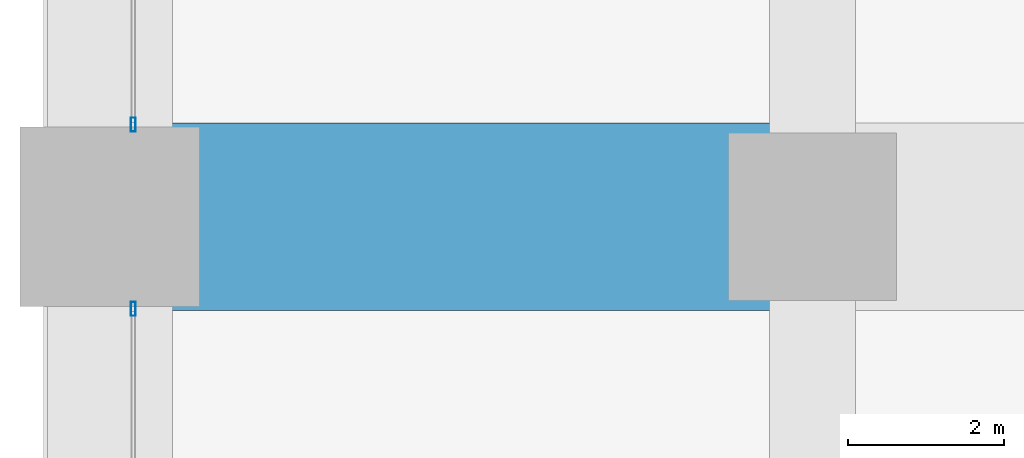
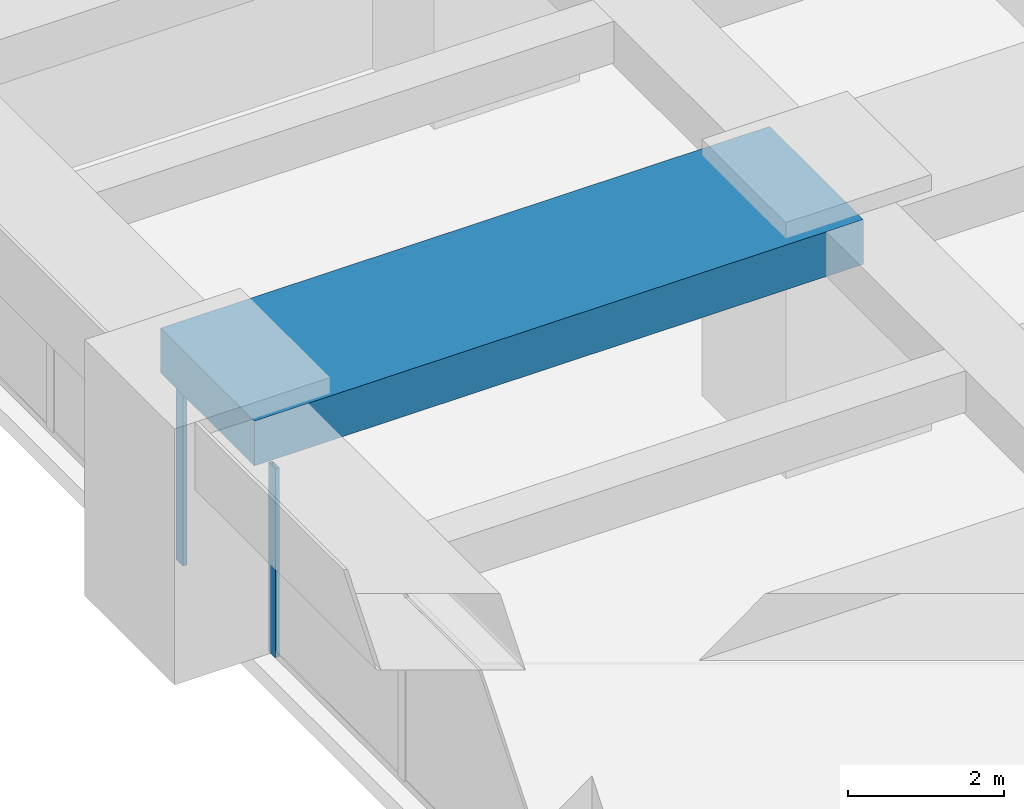
# One storey, part 10 of 43: 2 members, 1 beam, 2 elements without a shape of their own.
"""IFC4 building model written with IfcOpenShell, lengths in metres."""

from ifc_helpers import new_model, si_unit, direction, frame, origin, origin_2d, place, context, subcontext, project, spatial, rectangle, hollow_rectangle, extrude, material, material_profile, profile_set, type_object, element, aggregate, save


model = new_model("IFC4")

# Units and contexts
model_context = context("Model", 3, precision=1e-05, world=origin(), true_north=direction((0.0, 1.0)))
body_context = subcontext(model_context, "Body", "Model", "MODEL_VIEW")
ifc_project = project(units=[si_unit("LENGTHUNIT", "METRE"), si_unit("AREAUNIT", "SQUARE_METRE"), si_unit("VOLUMEUNIT", "CUBIC_METRE"), si_unit("PLANEANGLEUNIT", "RADIAN"), si_unit("MASSUNIT", "GRAM", prefix="KILO")], contexts=[model_context])

# Site, building, storey
site_placement = place(None, origin())
site = spatial("IfcSite", under=ifc_project, at=site_placement, CompositionType="ELEMENT")
building_placement = place(site_placement, origin())
building = spatial("IfcBuilding", under=site, at=building_placement, Name="Zorevar Civic Tower", CompositionType="ELEMENT")
storey_placement = place(building_placement, frame((0.0, 0.0, 67.800048828125)))
storey = spatial("IfcBuildingStorey", under=building, at=storey_placement, Name="L16", CompositionType="ELEMENT", Elevation=67.800048828125)

# Beam
ifc_material_1 = material(Name="Concrete C50/60", Category="concrete")
ifc_material_profile_1 = material_profile(ifc_material_1, rectangle(XDim=2.39990234375, YDim=0.699951171875, at=origin_2d()), Name="RC 2400x700")
ifc_profile_set_1 = profile_set([ifc_material_profile_1], Name="Concrete C50/60")
beam_type = type_object("IfcBeamType", Name="Beam RC 2400x700", PredefinedType="BEAM", material=ifc_profile_set_1)
beam_placement = place(storey_placement, frame((0.0, 27.0, 3.39990234375), z_axis=(1.0, 0.0, 0.0), x_axis=(0.0, 1.0, 0.0)))
element("IfcBeam", 1, at=beam_placement, inside=storey, type_object=beam_type, Name="Girder L17", PredefinedType="BEAM", context=body_context, shape_type="SweptSolid", body=[
    extrude(rectangle(XDim=2.39990234375, YDim=0.699951171875, at=origin_2d()), origin(), (0.0, 0.0, 1.0), 9.0),
])

# Curtain wall, member
ifc_material_2 = material(Name="Dark grey solar-control glass in black aluminium frame", Category="aluminium")
curtain_wall_type = type_object("IfcCurtainWallType", Name="Curtain wall CW2 low zone", PredefinedType="NOTDEFINED", material=ifc_material_2)
curtain_wall_1_placement = place(storey_placement, origin())
curtain_wall_1 = element("IfcCurtainWall", 2, at=curtain_wall_1_placement, inside=storey, type_object=curtain_wall_type, Name="CW2 L16", PredefinedType="NOTDEFINED")
ifc_material_3 = material(Name="Aluminium, black anodised", Category="aluminium")
ifc_material_profile_2 = material_profile(ifc_material_3, hollow_rectangle(XDim=0.06005859375, YDim=0.179931640625, WallThickness=0.00390625, at=origin_2d()), Name="AL 180x60x4")
ifc_profile_set_2 = profile_set([ifc_material_profile_2], Name="Aluminium, black anodised")
member_type = type_object("IfcMemberType", Name="CW2 mullion AL 180x60x4", PredefinedType="MULLION", material=ifc_profile_set_2)
member_1_placement = place(storey_placement, frame((0.300048828125, 25.820068359375, 0.0), z_axis=(0.0, 0.0, 1.0), x_axis=(-1.0, 0.0, 0.0)))
member_1 = element("IfcMember", 3, at=member_1_placement, type_object=member_type, Name="CW2 mullion 3", PredefinedType="MULLION", context=body_context, shape_type="SweptSolid", body=[
    extrude(hollow_rectangle(XDim=0.06005859375, YDim=0.179931640625, WallThickness=0.00390625, at=origin_2d()), origin(), (0.0, 0.0, 1.0), 2.949951171875),
])
aggregate(curtain_wall_1, [member_1])

curtain_wall_2_placement = place(storey_placement, origin())
curtain_wall_2 = element("IfcCurtainWall", 4, at=curtain_wall_2_placement, inside=storey, type_object=curtain_wall_type, Name="CW2 L16", PredefinedType="NOTDEFINED")
member_2_placement = place(storey_placement, frame((0.300048828125, 28.179931640625, 0.0), z_axis=(0.0, 0.0, 1.0), x_axis=(-1.0, 0.0, 0.0)))
member_2 = element("IfcMember", 5, at=member_2_placement, type_object=member_type, Name="CW2 mullion 1", PredefinedType="MULLION", context=body_context, shape_type="SweptSolid", body=[
    extrude(hollow_rectangle(XDim=0.06005859375, YDim=0.179931640625, WallThickness=0.00390625, at=origin_2d()), origin(), (0.0, 0.0, 1.0), 2.949951171875),
])
aggregate(curtain_wall_2, [member_2])

save(model, "model.ifc")
